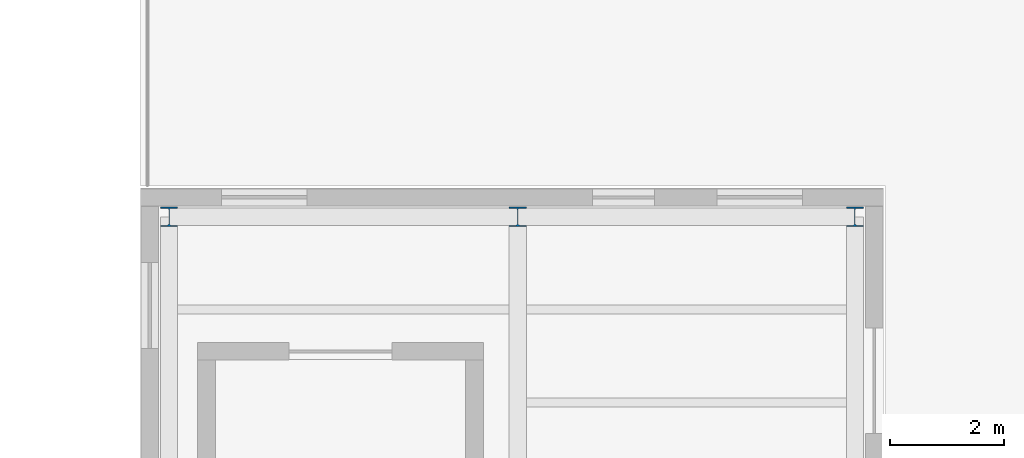
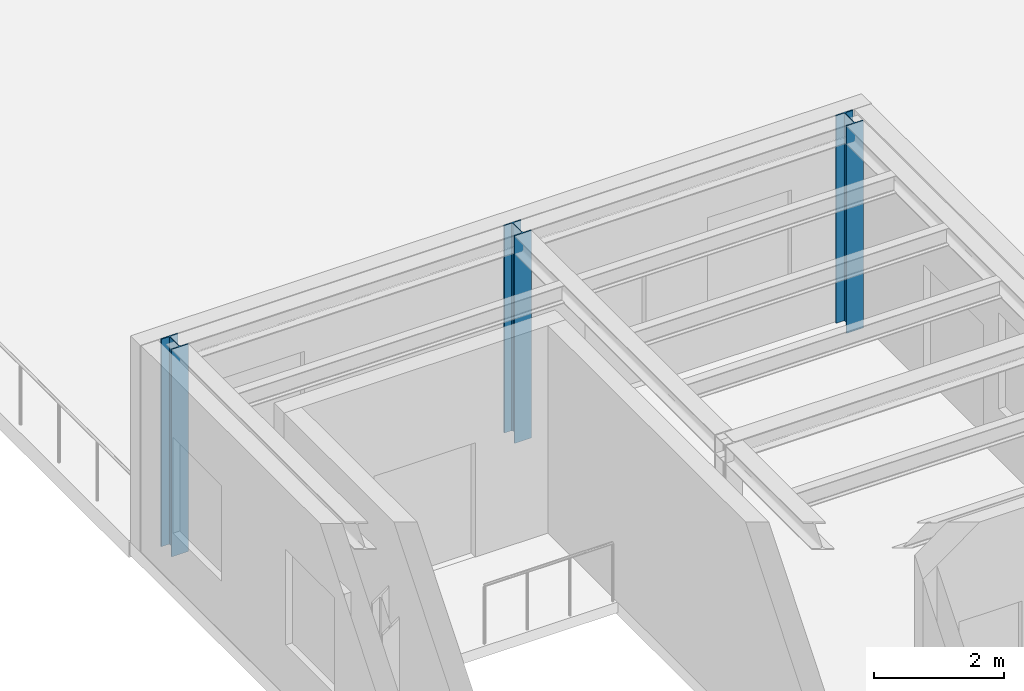
# One storey, part 12 of 75: 3 columns.
"""IFC4 building model written with IfcOpenShell, lengths in metres."""

from ifc_helpers import new_model, si_unit, direction, frame, origin, origin_2d, place, context, subcontext, project, spatial, i_section, extrude, material, material_profile, profile_set, type_object, element, save


model = new_model("IFC4")

# Units and contexts
model_context = context("Model", 3, precision=1e-05, world=origin(), true_north=direction((0.0, 1.0)))
body_context = subcontext(model_context, "Body", "Model", "MODEL_VIEW")
ifc_project = project(units=[si_unit("LENGTHUNIT", "METRE"), si_unit("AREAUNIT", "SQUARE_METRE"), si_unit("VOLUMEUNIT", "CUBIC_METRE"), si_unit("PLANEANGLEUNIT", "RADIAN"), si_unit("MASSUNIT", "GRAM", prefix="KILO")], contexts=[model_context])

# Site, building, storey
site_placement = place(None, origin())
site = spatial("IfcSite", under=ifc_project, at=site_placement, CompositionType="ELEMENT")
building_placement = place(site_placement, origin())
building = spatial("IfcBuilding", under=site, at=building_placement, Name="Kolvaren Corner Interchange", CompositionType="ELEMENT")
storey_placement = place(building_placement, frame((0.0, 0.0, 10.5)))
storey = spatial("IfcBuildingStorey", under=building, at=storey_placement, Name="L03", CompositionType="ELEMENT", Elevation=10.5)

# Columns
ifc_material = material(Name="Steel S355", Category="steel")
ifc_material_profile = material_profile(ifc_material, i_section(OverallWidth=0.300048828125, OverallDepth=0.340087890625, WebThickness=0.011962890625, FlangeThickness=0.021484375, FilletRadius=0.027099609375, at=origin_2d()), Name="HEB 340")
ifc_profile_set = profile_set([ifc_material_profile], Name="Steel S355")
column_type = type_object("IfcColumnType", Name="COL-HEB340", PredefinedType="COLUMN", material=ifc_profile_set)
for number, where, z_axis, x_axis, name in (
    (1, (66.5, 98.0, 0.0), (0.0, 0.0, 1.0), (1.0, 0.0, 0.0), "Storey L03 Structural Column 0855"),
    (2, (72.60009765625, 98.0, 0.0), (0.0, 0.0, 1.0), (1.0, 0.0, 0.0), "Storey L03 Structural Column 0868"),
    (3, (78.5, 98.0, 0.0), (0.0, 0.0, 1.0), (1.0, 0.0, 0.0), "Storey L03 Structural Column 0881"),
):
    element("IfcColumn", number, at=place(storey_placement, frame(where, z_axis=z_axis, x_axis=x_axis)), inside=storey, type_object=column_type, Name=name, PredefinedType="COLUMN", context=body_context, shape_type="SweptSolid", body=[
        extrude(i_section(OverallWidth=0.300048828125, OverallDepth=0.340087890625, WebThickness=0.011962890625, FlangeThickness=0.021484375, FilletRadius=0.027099609375, at=origin_2d()), origin(), (0.0, 0.0, 1.0), 3.89990234375),
    ])

save(model, "model.ifc")
